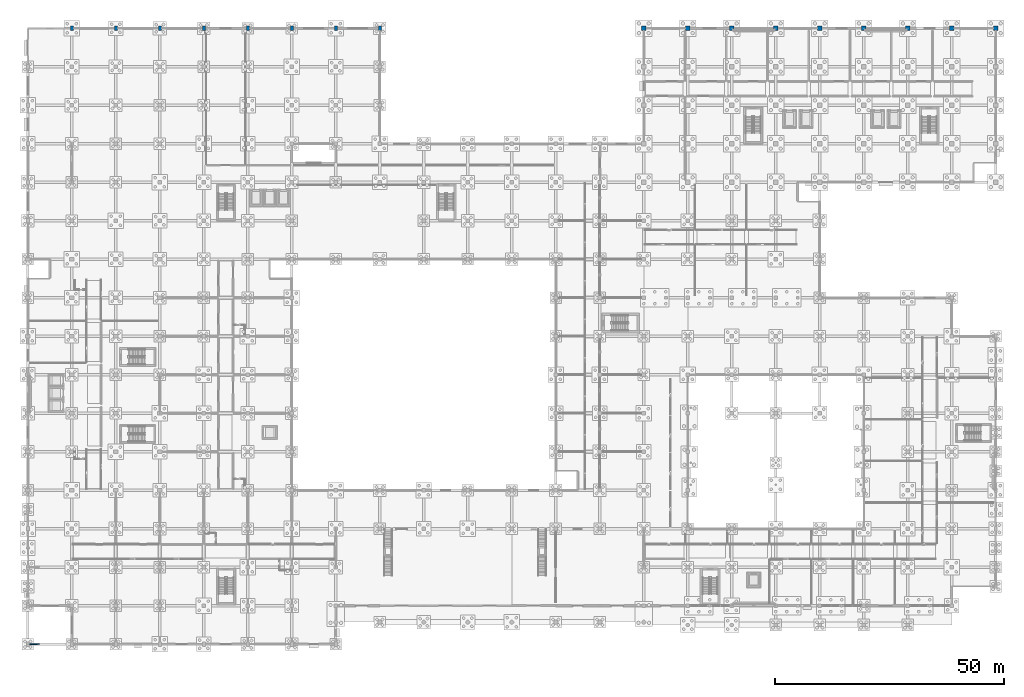
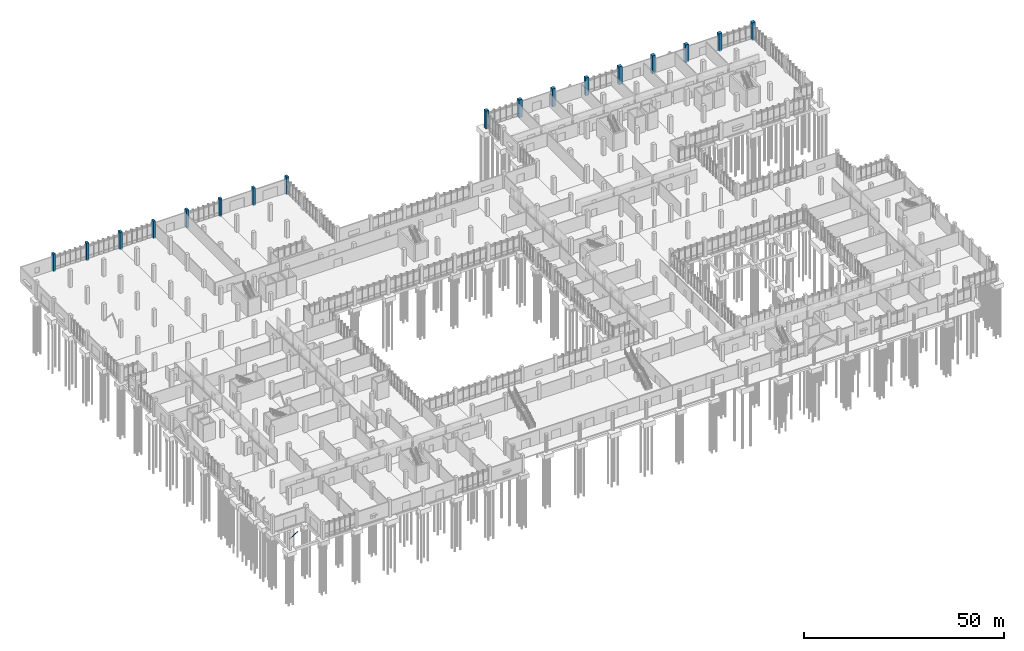
# One storey, part 26 of 136: 17 columns, 1 member.
"""IFC4 building model written with IfcOpenShell, lengths in metres."""

from ifc_helpers import new_model, si_unit, direction, frame, origin, origin_2d, place, context, subcontext, project, spatial, rectangle, hollow_rectangle, extrude, material, material_profile, profile_set, type_object, element, save


model = new_model("IFC4")

# Units and contexts
model_context = context("Model", 3, precision=1e-05, world=origin(), true_north=direction((0.0, 1.0)))
body_context = subcontext(model_context, "Body", "Model", "MODEL_VIEW")
ifc_project = project(units=[si_unit("LENGTHUNIT", "METRE"), si_unit("AREAUNIT", "SQUARE_METRE"), si_unit("VOLUMEUNIT", "CUBIC_METRE"), si_unit("PLANEANGLEUNIT", "RADIAN"), si_unit("MASSUNIT", "GRAM", prefix="KILO")], contexts=[model_context])

# Site, building, storey
site_placement = place(None, origin())
site = spatial("IfcSite", under=ifc_project, at=site_placement, CompositionType="ELEMENT")
building_placement = place(site_placement, origin())
building = spatial("IfcBuilding", under=site, at=building_placement, Name="Oolite Switchyard Hospital", CompositionType="ELEMENT")
storey_placement = place(building_placement, origin())
storey = spatial("IfcBuildingStorey", under=building, at=storey_placement, Name="L00", CompositionType="ELEMENT", Elevation=0.0)

# Columns
ifc_material_1 = material(Name="Concrete C50/60", Category="concrete")
ifc_material_profile_1 = material_profile(ifc_material_1, rectangle(XDim=0.949951171875, YDim=0.949951171875, at=origin_2d()), Name="RC950X950")
ifc_profile_set_1 = profile_set([ifc_material_profile_1], Name="Concrete C50/60")
column_type_1 = type_object("IfcColumnType", Name="COL-RC950", PredefinedType="COLUMN", material=ifc_profile_set_1)
for number, where, z_axis, x_axis, name in (
    (1, (134.39990234375, 134.39990234375, -0.35009765625), (0.0, 0.0, 1.0), (1.0, 0.0, 0.0), "L00 Column 201"),
    (2, (144.0, 134.39990234375, -0.35009765625), (0.0, 0.0, 1.0), (1.0, 0.0, 0.0), "L00 Column 218"),
    (3, (153.60009765625, 134.39990234375, -0.35009765625), (0.0, 0.0, 1.0), (1.0, 0.0, 0.0), "L00 Column 237"),
    (4, (163.199951171875, 134.39990234375, -0.35009765625), (0.0, 0.0, 1.0), (1.0, 0.0, 0.0), "L00 Column 254"),
    (5, (172.800048828125, 134.39990234375, -0.35009765625), (0.0, 0.0, 1.0), (1.0, 0.0, 0.0), "L00 Column 269"),
    (6, (182.39990234375, 134.39990234375, -0.35009765625), (0.0, 0.0, 1.0), (1.0, 0.0, 0.0), "L00 Column 288"),
    (7, (192.0, 134.39990234375, -0.35009765625), (0.0, 0.0, 1.0), (1.0, 0.0, 0.0), "L00 Column 303"),
    (8, (201.60009765625, 134.39990234375, -0.35009765625), (0.0, 0.0, 1.0), (1.0, 0.0, 0.0), "L00 Column 317"),
    (9, (211.199951171875, 134.39990234375, -0.35009765625), (0.0, 0.0, 1.0), (1.0, 0.0, 0.0), "L00 Column 329"),
):
    element("IfcColumn", number, at=place(storey_placement, frame(where, z_axis=z_axis, x_axis=x_axis)), inside=storey, type_object=column_type_1, Name=name, PredefinedType="COLUMN", context=body_context, shape_type="SweptSolid", body=[
        extrude(rectangle(XDim=0.949951171875, YDim=0.949951171875, at=origin_2d()), origin(), (0.0, 0.0, 1.0), 5.4501953125),
    ])
ifc_material_profile_2 = material_profile(ifc_material_1, rectangle(XDim=0.949951171875, YDim=0.64990234375, at=origin_2d()), Name="RC950X650")
ifc_profile_set_2 = profile_set([ifc_material_profile_2], Name="Concrete C50/60")
column_type_2 = type_object("IfcColumnType", Name="COL-RCR950", PredefinedType="COLUMN", material=ifc_profile_set_2)
for number, where, z_axis, x_axis, name in (
    (10, (9.60009765625, 134.39990234375, -0.35009765625), (0.0, 0.0, 1.0), (0.0, 1.0, 0.0), "L00 Column 33"),
    (11, (19.199951171875, 134.39990234375, -0.35009765625), (0.0, 0.0, 1.0), (0.0, 1.0, 0.0), "L00 Column 50"),
    (12, (28.800048828125, 134.39990234375, -0.35009765625), (0.0, 0.0, 1.0), (0.0, 1.0, 0.0), "L00 Column 67"),
    (13, (38.39990234375, 134.39990234375, -0.35009765625), (0.0, 0.0, 1.0), (0.0, 1.0, 0.0), "L00 Column 84"),
    (14, (48.0, 134.39990234375, -0.35009765625), (0.0, 0.0, 1.0), (0.0, 1.0, 0.0), "L00 Column 101"),
    (15, (57.60009765625, 134.39990234375, -0.35009765625), (0.0, 0.0, 1.0), (0.0, 1.0, 0.0), "L00 Column 118"),
    (16, (67.199951171875, 134.39990234375, -0.35009765625), (0.0, 0.0, 1.0), (0.0, 1.0, 0.0), "L00 Column 130"),
    (17, (76.800048828125, 134.39990234375, -0.35009765625), (0.0, 0.0, 1.0), (0.0, 1.0, 0.0), "L00 Column 139"),
):
    element("IfcColumn", number, at=place(storey_placement, frame(where, z_axis=z_axis, x_axis=x_axis)), inside=storey, type_object=column_type_2, Name=name, PredefinedType="COLUMN", context=body_context, shape_type="SweptSolid", body=[
        extrude(rectangle(XDim=0.949951171875, YDim=0.64990234375, at=origin_2d()), origin(), (0.0, 0.0, 1.0), 5.4501953125),
    ])

# Member
ifc_material_2 = material(Name="Steel ASTM A500 Grade C", Category="steel")
ifc_material_profile_3 = material_profile(ifc_material_2, hollow_rectangle(XDim=0.152099609375, YDim=0.202880859375, WallThickness=0.010009765625, at=origin_2d()), Name="HSS203X152X10")
ifc_profile_set_3 = profile_set([ifc_material_profile_3], Name="Steel ASTM A500 Grade C")
member_type = type_object("IfcMemberType", Name="MEM-ST-RHS203", PredefinedType="STRUT", material=ifc_profile_set_3)
member_placement = place(storey_placement, frame((0.0, 0.0, 2.800048828125), z_axis=(0.85591393617, 0.0, 0.517118297753), x_axis=(0.0, 1.0, 0.0)))
element("IfcMember", 18, at=member_placement, inside=storey, type_object=member_type, Name="L00 Ambulance Canopy Strut 1", PredefinedType="STRUT", context=body_context, shape_type="SweptSolid", body=[
    extrude(hollow_rectangle(XDim=0.152099609375, YDim=0.202880859375, WallThickness=0.010009765625, at=origin_2d()), origin(), (0.0, 0.0, 1.0), 2.803955078125),
])

save(model, "model.ifc")
